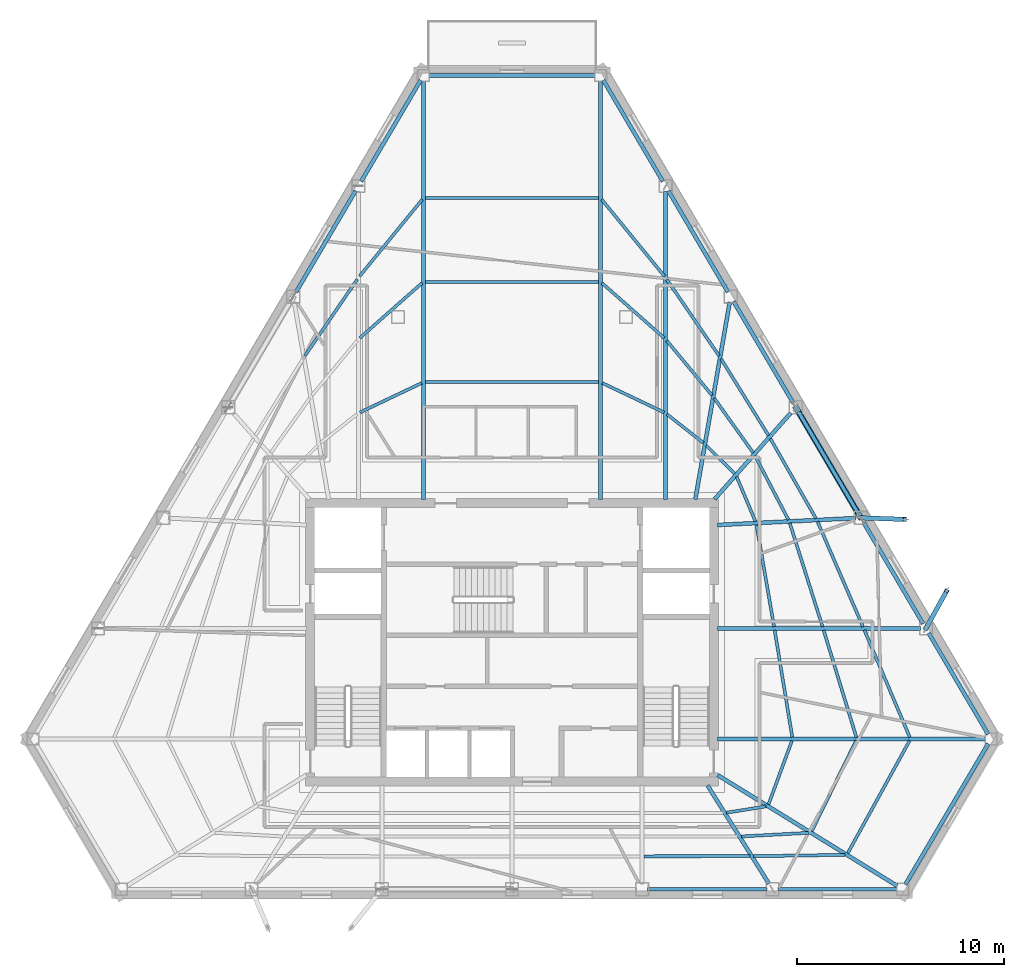
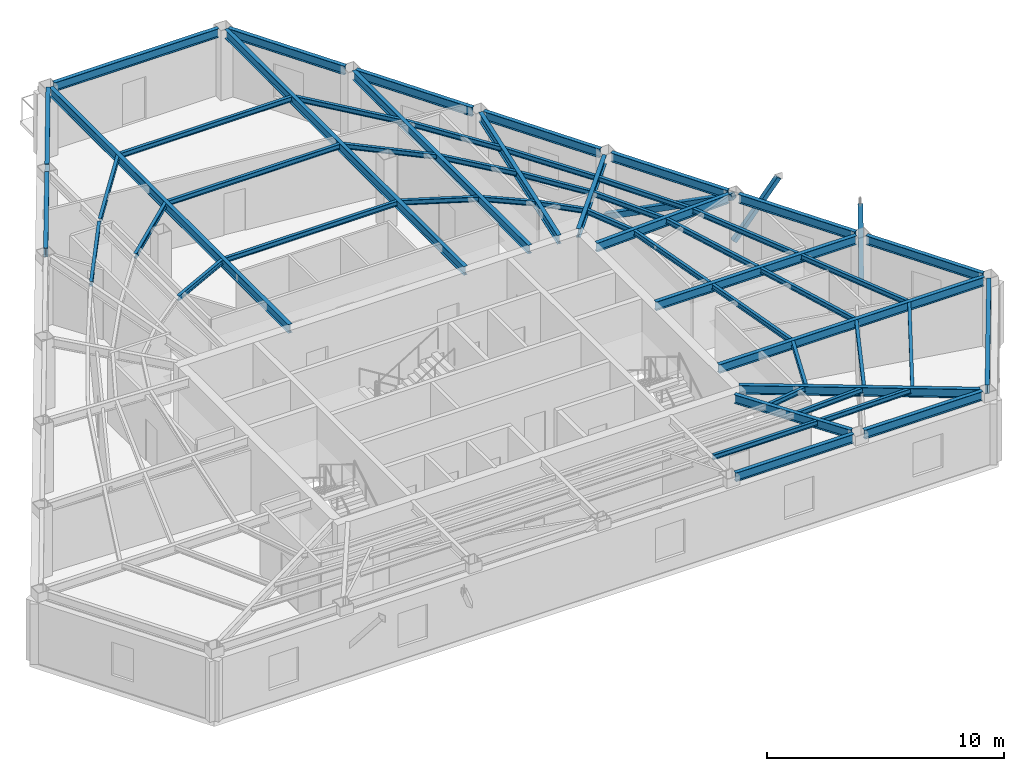
# One storey, part 2 of 12: 54 beams, 3 members.
"""IFC4 building model written with IfcOpenShell, lengths in metres."""

from ifc_helpers import new_model, si_unit, direction, frame, origin, origin_2d, place, context, subcontext, project, spatial, hollow_rectangle, i_section, extrude, material, material_profile, profile_set, type_object, element, save


model = new_model("IFC4")

# Units and contexts
model_context = context("Model", 3, precision=1e-05, world=origin(), true_north=direction((0.0, 1.0)))
body_context = subcontext(model_context, "Body", "Model", "MODEL_VIEW")
ifc_project = project(units=[si_unit("LENGTHUNIT", "METRE"), si_unit("AREAUNIT", "SQUARE_METRE"), si_unit("VOLUMEUNIT", "CUBIC_METRE"), si_unit("PLANEANGLEUNIT", "RADIAN"), si_unit("MASSUNIT", "GRAM", prefix="KILO")], contexts=[model_context])

# Site, building, storey
site_placement = place(None, origin())
site = spatial("IfcSite", under=ifc_project, at=site_placement, CompositionType="ELEMENT")
building_placement = place(site_placement, origin())
building = spatial("IfcBuilding", under=site, at=building_placement, Name="Kavelnor Concourse Tower", CompositionType="ELEMENT")
storey_placement = place(building_placement, frame((0.0, 0.0, 203.5)))
storey = spatial("IfcBuildingStorey", under=building, at=storey_placement, Name="L51", CompositionType="ELEMENT", Elevation=203.5)

# Beams
ifc_material = material(Name="Steel Grade 350", Category="steel")
ifc_material_profile_1 = material_profile(ifc_material, i_section(OverallWidth=0.14599609375, OverallDepth=0.256103515625, WebThickness=0.00634765625, FlangeThickness=0.010986328125, at=origin_2d()), Name="250UB37")
ifc_profile_set_1 = profile_set([ifc_material_profile_1], Name="Steel Grade 350")
beam_type_1 = type_object("IfcBeamType", Name="BM-JOIST-250", PredefinedType="JOIST", material=ifc_profile_set_1)
beam_1_placement = place(storey_placement, frame((44.37255859375, 5.776611328125, 3.471923828125), z_axis=(0.999999861866, 0.000525611548, 0.0), x_axis=(-0.000525611548, 0.999999861866, 0.0)))
element("IfcBeam", 1, at=beam_1_placement, inside=storey, type_object=beam_type_1, Name="L51 Secondary Composite Joist 06-3", PredefinedType="JOIST", context=body_context, shape_type="SweptSolid", body=[
    extrude(i_section(OverallWidth=0.14599609375, OverallDepth=0.256103515625, WebThickness=0.00634765625, FlangeThickness=0.010986328125, at=origin_2d()), origin(), (0.0, 0.0, 1.0), 5.109375),
])
beam_2_placement = place(storey_placement, frame((48.3544921875, 7.8798828125, 3.471923828125), z_axis=(0.987569610251, 0.157182266524, 0.0), x_axis=(-0.157182266524, 0.987569610251, 0.0)))
element("IfcBeam", 2, at=beam_2_placement, inside=storey, type_object=beam_type_1, Name="L51 Secondary Composite Joist 07-1", PredefinedType="JOIST", context=body_context, shape_type="SweptSolid", body=[
    extrude(i_section(OverallWidth=0.14599609375, OverallDepth=0.256103515625, WebThickness=0.00634765625, FlangeThickness=0.010986328125, at=origin_2d()), origin(), (0.0, 0.0, 1.0), 1.93212890625),
])
beam_3_placement = place(storey_placement, frame((49.06689453125, 6.732666015625, 3.471923828125), z_axis=(0.998536843301, 0.054075618994, 0.0), x_axis=(-0.054075618994, 0.998536843301, 0.0)))
element("IfcBeam", 3, at=beam_3_placement, inside=storey, type_object=beam_type_1, Name="L51 Secondary Composite Joist 07-2", PredefinedType="JOIST", context=body_context, shape_type="SweptSolid", body=[
    extrude(i_section(OverallWidth=0.14599609375, OverallDepth=0.256103515625, WebThickness=0.00634765625, FlangeThickness=0.010986328125, at=origin_2d()), origin(), (0.0, 0.0, 1.0), 3.27783203125),
])
beam_4_placement = place(storey_placement, frame((49.659912109375, 5.780517578125, 3.471923828125), z_axis=(0.999894891975, 0.014498448265, 0.0), x_axis=(-0.014498448265, 0.999894891975, 0.0)))
element("IfcBeam", 4, at=beam_4_placement, inside=storey, type_object=beam_type_1, Name="L51 Secondary Composite Joist 07-3", PredefinedType="JOIST", context=body_context, shape_type="SweptSolid", body=[
    extrude(i_section(OverallWidth=0.14599609375, OverallDepth=0.256103515625, WebThickness=0.00634765625, FlangeThickness=0.010986328125, at=origin_2d()), origin(), (0.0, 0.0, 1.0), 4.411865234375),
])
beam_5_placement = place(storey_placement, frame((50.381103515625, 8.281005859375, 3.471923828125), z_axis=(0.345459903826, 0.93843351115, 0.0), x_axis=(-0.93843351115, 0.345459903826, 0.0)))
element("IfcBeam", 5, at=beam_5_placement, inside=storey, type_object=beam_type_1, Name="L51 Secondary Composite Joist 08-1", PredefinedType="JOIST", context=body_context, shape_type="SweptSolid", body=[
    extrude(i_section(OverallWidth=0.14599609375, OverallDepth=0.256103515625, WebThickness=0.00634765625, FlangeThickness=0.010986328125, at=origin_2d()), origin(), (0.0, 0.0, 1.0), 3.272705078125),
])
beam_6_placement = place(storey_placement, frame((52.4677734375, 6.99462890625, 3.471923828125), z_axis=(0.440567902656, 0.897719289728, 0.0), x_axis=(-0.897719289728, 0.440567902656, 0.0)))
element("IfcBeam", 6, at=beam_6_placement, inside=storey, type_object=beam_type_1, Name="L51 Secondary Composite Joist 08-2", PredefinedType="JOIST", context=body_context, shape_type="SweptSolid", body=[
    extrude(i_section(OverallWidth=0.14599609375, OverallDepth=0.256103515625, WebThickness=0.00634765625, FlangeThickness=0.010986328125, at=origin_2d()), origin(), (0.0, 0.0, 1.0), 4.858154296875),
])
beam_7_placement = place(storey_placement, frame((54.203369140625, 5.923828125, 3.471923828125), z_axis=(0.481891547768, 0.876230869229, 0.0), x_axis=(-0.876230869229, 0.481891547768, 0.0)))
element("IfcBeam", 7, at=beam_7_placement, inside=storey, type_object=beam_type_1, Name="L51 Secondary Composite Joist 08-3", PredefinedType="JOIST", context=body_context, shape_type="SweptSolid", body=[
    extrude(i_section(OverallWidth=0.14599609375, OverallDepth=0.256103515625, WebThickness=0.00634765625, FlangeThickness=0.010986328125, at=origin_2d()), origin(), (0.0, 0.0, 1.0), 6.20166015625),
])
beam_8_placement = place(storey_placement, frame((51.528076171875, 11.523681640625, 3.471923828125), z_axis=(-0.162604999741, 0.986691245557, 0.0), x_axis=(-0.986691245557, -0.162604999741, 0.0)))
element("IfcBeam", 8, at=beam_8_placement, inside=storey, type_object=beam_type_1, Name="L51 Secondary Composite Joist 09-1", PredefinedType="JOIST", context=body_context, shape_type="SweptSolid", body=[
    extrude(i_section(OverallWidth=0.14599609375, OverallDepth=0.256103515625, WebThickness=0.00634765625, FlangeThickness=0.010986328125, at=origin_2d()), origin(), (0.0, 0.0, 1.0), 5.23095703125),
])
beam_9_placement = place(storey_placement, frame((54.621337890625, 11.52099609375, 3.471923828125), z_axis=(-0.292612253464, 0.956231179748, 0.0), x_axis=(-0.956231179748, -0.292612253464, 0.0)))
element("IfcBeam", 9, at=beam_9_placement, inside=storey, type_object=beam_type_1, Name="L51 Secondary Composite Joist 09-2", PredefinedType="JOIST", context=body_context, shape_type="SweptSolid", body=[
    extrude(i_section(OverallWidth=0.14599609375, OverallDepth=0.256103515625, WebThickness=0.00634765625, FlangeThickness=0.010986328125, at=origin_2d()), origin(), (0.0, 0.0, 1.0), 5.4033203125),
])
beam_10_placement = place(storey_placement, frame((57.2001953125, 11.517578125, 3.471923828125), z_axis=(-0.39008222311, 0.920780027593, 0.0), x_axis=(-0.920780027593, -0.39008222311, 0.0)))
element("IfcBeam", 10, at=beam_10_placement, inside=storey, type_object=beam_type_1, Name="L51 Secondary Composite Joist 09-3", PredefinedType="JOIST", context=body_context, shape_type="SweptSolid", body=[
    extrude(i_section(OverallWidth=0.14599609375, OverallDepth=0.256103515625, WebThickness=0.00634765625, FlangeThickness=0.010986328125, at=origin_2d()), origin(), (0.0, 0.0, 1.0), 5.618408203125),
])
beam_11_placement = place(storey_placement, frame((50.64794921875, 16.860595703125, 3.471923828125), z_axis=(-0.170379487714, 0.985378521263, 0.0), x_axis=(-0.985378521263, -0.170379487714, 0.0)))
element("IfcBeam", 11, at=beam_11_placement, inside=storey, type_object=beam_type_1, Name="L51 Secondary Composite Joist 10-1", PredefinedType="JOIST", context=body_context, shape_type="SweptSolid", body=[
    extrude(i_section(OverallWidth=0.14599609375, OverallDepth=0.256103515625, WebThickness=0.00634765625, FlangeThickness=0.010986328125, at=origin_2d()), origin(), (0.0, 0.0, 1.0), 4.982177734375),
])
beam_12_placement = place(storey_placement, frame((52.987548828125, 16.857666015625, 3.471923828125), z_axis=(-0.301481523568, 0.953472018964, 0.0), x_axis=(-0.953472018964, -0.301481523568, 0.0)))
element("IfcBeam", 12, at=beam_12_placement, inside=storey, type_object=beam_type_1, Name="L51 Secondary Composite Joist 10-2", PredefinedType="JOIST", context=body_context, shape_type="SweptSolid", body=[
    extrude(i_section(OverallWidth=0.14599609375, OverallDepth=0.256103515625, WebThickness=0.00634765625, FlangeThickness=0.010986328125, at=origin_2d()), origin(), (0.0, 0.0, 1.0), 5.238525390625),
])
beam_13_placement = place(storey_placement, frame((54.9384765625, 16.8544921875, 3.471923828125), z_axis=(-0.396799383043, 0.917905359837, 0.0), x_axis=(-0.917905359837, -0.396799383043, 0.0)))
element("IfcBeam", 13, at=beam_13_placement, inside=storey, type_object=beam_type_1, Name="L51 Secondary Composite Joist 10-3", PredefinedType="JOIST", context=body_context, shape_type="SweptSolid", body=[
    extrude(i_section(OverallWidth=0.14599609375, OverallDepth=0.256103515625, WebThickness=0.00634765625, FlangeThickness=0.010986328125, at=origin_2d()), origin(), (0.0, 0.0, 1.0), 5.520751953125),
])
beam_14_placement = place(storey_placement, frame((49.749267578125, 21.939697265625, 3.471923828125), z_axis=(-0.388000984509, 0.921658958628, 0.0), x_axis=(-0.921658958628, -0.388000984509, 0.0)))
element("IfcBeam", 14, at=beam_14_placement, inside=storey, type_object=beam_type_1, Name="L51 Secondary Composite Joist 11-1", PredefinedType="JOIST", context=body_context, shape_type="SweptSolid", body=[
    extrude(i_section(OverallWidth=0.14599609375, OverallDepth=0.256103515625, WebThickness=0.00634765625, FlangeThickness=0.010986328125, at=origin_2d()), origin(), (0.0, 0.0, 1.0), 2.338134765625),
])
beam_15_placement = place(storey_placement, frame((51.340087890625, 22.016357421875, 3.471923828125), z_axis=(-0.462654818884, 0.886538503712, 0.0), x_axis=(-0.886538503712, -0.462654818884, 0.0)))
element("IfcBeam", 15, at=beam_15_placement, inside=storey, type_object=beam_type_1, Name="L51 Secondary Composite Joist 11-2", PredefinedType="JOIST", context=body_context, shape_type="SweptSolid", body=[
    extrude(i_section(OverallWidth=0.14599609375, OverallDepth=0.256103515625, WebThickness=0.00634765625, FlangeThickness=0.010986328125, at=origin_2d()), origin(), (0.0, 0.0, 1.0), 3.475830078125),
])
beam_16_placement = place(storey_placement, frame((52.66845703125, 22.0810546875, 3.471923828125), z_axis=(-0.495540003504, 0.868585116685, 0.0), x_axis=(-0.868585116685, -0.495540003504, 0.0)))
element("IfcBeam", 16, at=beam_16_placement, inside=storey, type_object=beam_type_1, Name="L51 Secondary Composite Joist 11-3", PredefinedType="JOIST", context=body_context, shape_type="SweptSolid", body=[
    extrude(i_section(OverallWidth=0.14599609375, OverallDepth=0.256103515625, WebThickness=0.00634765625, FlangeThickness=0.010986328125, at=origin_2d()), origin(), (0.0, 0.0, 1.0), 4.4345703125),
])
beam_17_placement = place(storey_placement, frame((48.74462890625, 24.239501953125, 3.471923828125), z_axis=(-0.708242693493, 0.705969041186, 0.0), x_axis=(-0.705969041186, -0.708242693493, 0.0)))
element("IfcBeam", 17, at=beam_17_placement, inside=storey, type_object=beam_type_1, Name="L51 Secondary Composite Joist 12-1", PredefinedType="JOIST", context=body_context, shape_type="SweptSolid", body=[
    extrude(i_section(OverallWidth=0.14599609375, OverallDepth=0.256103515625, WebThickness=0.00634765625, FlangeThickness=0.010986328125, at=origin_2d()), origin(), (0.0, 0.0, 1.0), 1.932861328125),
])
beam_18_placement = place(storey_placement, frame((49.63916015625, 25.249267578125, 3.471923828125), z_axis=(-0.580566079547, 0.814213133817, 0.0), x_axis=(-0.814213133817, -0.580566079547, 0.0)))
element("IfcBeam", 18, at=beam_18_placement, inside=storey, type_object=beam_type_1, Name="L51 Secondary Composite Joist 12-2", PredefinedType="JOIST", context=body_context, shape_type="SweptSolid", body=[
    extrude(i_section(OverallWidth=0.14599609375, OverallDepth=0.256103515625, WebThickness=0.00634765625, FlangeThickness=0.010986328125, at=origin_2d()), origin(), (0.0, 0.0, 1.0), 3.23095703125),
])
beam_19_placement = place(storey_placement, frame((50.380126953125, 26.085693359375, 3.471923828125), z_axis=(-0.52656149454, 0.850137043345, 0.0), x_axis=(-0.850137043345, -0.52656149454, 0.0)))
element("IfcBeam", 19, at=beam_19_placement, inside=storey, type_object=beam_type_1, Name="L51 Secondary Composite Joist 12-3", PredefinedType="JOIST", context=body_context, shape_type="SweptSolid", body=[
    extrude(i_section(OverallWidth=0.14599609375, OverallDepth=0.256103515625, WebThickness=0.00634765625, FlangeThickness=0.010986328125, at=origin_2d()), origin(), (0.0, 0.0, 1.0), 4.3466796875),
])
beam_20_placement = place(storey_placement, frame((47.242919921875, 25.721923828125, 3.471923828125), z_axis=(-0.785731108186, 0.618568206125, 0.0), x_axis=(-0.618568206125, -0.785731108186, 0.0)))
element("IfcBeam", 20, at=beam_20_placement, inside=storey, type_object=beam_type_1, Name="L51 Secondary Composite Joist 13-1", PredefinedType="JOIST", context=body_context, shape_type="SweptSolid", body=[
    extrude(i_section(OverallWidth=0.14599609375, OverallDepth=0.256103515625, WebThickness=0.00634765625, FlangeThickness=0.010986328125, at=origin_2d()), origin(), (0.0, 0.0, 1.0), 2.237548828125),
])
beam_21_placement = place(storey_placement, frame((47.655029296875, 28.02099609375, 3.471923828125), z_axis=(-0.637607110081, 0.770361715803, 0.0), x_axis=(-0.770361715803, -0.637607110081, 0.0)))
element("IfcBeam", 21, at=beam_21_placement, inside=storey, type_object=beam_type_1, Name="L51 Secondary Composite Joist 13-2", PredefinedType="JOIST", context=body_context, shape_type="SweptSolid", body=[
    extrude(i_section(OverallWidth=0.14599609375, OverallDepth=0.256103515625, WebThickness=0.00634765625, FlangeThickness=0.010986328125, at=origin_2d()), origin(), (0.0, 0.0, 1.0), 3.42431640625),
])
beam_22_placement = place(storey_placement, frame((47.994140625, 29.930419921875, 3.471923828125), z_axis=(-0.56473668232, 0.825271155223, 0.0), x_axis=(-0.825271155223, -0.56473668232, 0.0)))
element("IfcBeam", 22, at=beam_22_placement, inside=storey, type_object=beam_type_1, Name="L51 Secondary Composite Joist 13-3", PredefinedType="JOIST", context=body_context, shape_type="SweptSolid", body=[
    extrude(i_section(OverallWidth=0.14599609375, OverallDepth=0.256103515625, WebThickness=0.00634765625, FlangeThickness=0.010986328125, at=origin_2d()), origin(), (0.0, 0.0, 1.0), 4.478271484375),
])
beam_23_placement = place(storey_placement, frame((45.33447265625, 27.19921875, 3.471923828125), z_axis=(-0.902972626263, 0.429698075652, 0.0), x_axis=(-0.429698075652, -0.902972626263, 0.0)))
element("IfcBeam", 23, at=beam_23_placement, inside=storey, type_object=beam_type_1, Name="L51 Secondary Composite Joist 14-1", PredefinedType="JOIST", context=body_context, shape_type="SweptSolid", body=[
    extrude(i_section(OverallWidth=0.14599609375, OverallDepth=0.256103515625, WebThickness=0.00634765625, FlangeThickness=0.010986328125, at=origin_2d()), origin(), (0.0, 0.0, 1.0), 3.2998046875),
])
beam_24_placement = place(storey_placement, frame((45.34814453125, 30.78662109375, 3.471923828125), z_axis=(-0.749352954986, 0.662170785262, 0.0), x_axis=(-0.662170785262, -0.749352954986, 0.0)))
element("IfcBeam", 24, at=beam_24_placement, inside=storey, type_object=beam_type_1, Name="L51 Secondary Composite Joist 14-2", PredefinedType="JOIST", context=body_context, shape_type="SweptSolid", body=[
    extrude(i_section(OverallWidth=0.14599609375, OverallDepth=0.256103515625, WebThickness=0.00634765625, FlangeThickness=0.010986328125, at=origin_2d()), origin(), (0.0, 0.0, 1.0), 4.012939453125),
])
beam_25_placement = place(storey_placement, frame((45.358642578125, 33.7685546875, 3.471923828125), z_axis=(-0.632812570245, 0.774305011568, 0.0), x_axis=(-0.774305011568, -0.632812570245, 0.0)))
element("IfcBeam", 25, at=beam_25_placement, inside=storey, type_object=beam_type_1, Name="L51 Secondary Composite Joist 14-3", PredefinedType="JOIST", context=body_context, shape_type="SweptSolid", body=[
    extrude(i_section(OverallWidth=0.14599609375, OverallDepth=0.256103515625, WebThickness=0.00634765625, FlangeThickness=0.010986328125, at=origin_2d()), origin(), (0.0, 0.0, 1.0), 4.78466796875),
])
for number, where, z_axis, x_axis, name in (
    (26, (42.185302734375, 28.655517578125, 3.471923828125), (-1.0, 0.0, 0.0), (0.0, -1.0, 0.0), "L51 Secondary Composite Joist 15-1"),
    (27, (42.185302734375, 33.502685546875, 3.471923828125), (-1.0, 0.0, 0.0), (0.0, -1.0, 0.0), "L51 Secondary Composite Joist 15-2"),
    (28, (42.185302734375, 37.542236328125, 3.471923828125), (-1.0, 0.0, 0.0), (0.0, -1.0, 0.0), "L51 Secondary Composite Joist 15-3"),
):
    element("IfcBeam", number, at=place(storey_placement, frame(where, z_axis=z_axis, x_axis=x_axis)), inside=storey, type_object=beam_type_1, Name=name, PredefinedType="JOIST", context=body_context, shape_type="SweptSolid", body=[
        extrude(i_section(OverallWidth=0.14599609375, OverallDepth=0.256103515625, WebThickness=0.00634765625, FlangeThickness=0.010986328125, at=origin_2d()), origin(), (0.0, 0.0, 1.0), 8.37060546875),
    ])
beam_26_placement = place(storey_placement, frame((33.645263671875, 28.6171875, 3.471923828125), z_axis=(-0.902972626263, -0.429698075652, 0.0), x_axis=(0.429698075652, -0.902972626263, 0.0)))
element("IfcBeam", 29, at=beam_26_placement, inside=storey, type_object=beam_type_1, Name="L51 Secondary Composite Joist 16-1", PredefinedType="JOIST", context=body_context, shape_type="SweptSolid", body=[
    extrude(i_section(OverallWidth=0.14599609375, OverallDepth=0.256103515625, WebThickness=0.00634765625, FlangeThickness=0.010986328125, at=origin_2d()), origin(), (0.0, 0.0, 1.0), 3.2998046875),
])
beam_27_placement = place(storey_placement, frame((33.658935546875, 33.44384765625, 3.471923828125), z_axis=(-0.749352954986, -0.662170785262, 0.0), x_axis=(0.662170785262, -0.749352954986, 0.0)))
element("IfcBeam", 30, at=beam_27_placement, inside=storey, type_object=beam_type_1, Name="L51 Secondary Composite Joist 16-2", PredefinedType="JOIST", context=body_context, shape_type="SweptSolid", body=[
    extrude(i_section(OverallWidth=0.14599609375, OverallDepth=0.256103515625, WebThickness=0.00634765625, FlangeThickness=0.010986328125, at=origin_2d()), origin(), (0.0, 0.0, 1.0), 4.012939453125),
])
beam_28_placement = place(storey_placement, frame((33.669189453125, 37.473388671875, 3.471923828125), z_axis=(-0.632812570245, -0.774305011568, 0.0), x_axis=(0.774305011568, -0.632812570245, 0.0)))
element("IfcBeam", 31, at=beam_28_placement, inside=storey, type_object=beam_type_1, Name="L51 Secondary Composite Joist 16-3", PredefinedType="JOIST", context=body_context, shape_type="SweptSolid", body=[
    extrude(i_section(OverallWidth=0.14599609375, OverallDepth=0.256103515625, WebThickness=0.00634765625, FlangeThickness=0.010986328125, at=origin_2d()), origin(), (0.0, 0.0, 1.0), 4.78466796875),
])
beam_29_placement = place(storey_placement, frame((30.534912109375, 33.626220703125, 3.471923828125), z_axis=(-0.56473668232, -0.825271155223, 0.0), x_axis=(0.825271155223, -0.56473668232, 0.0)))
element("IfcBeam", 32, at=beam_29_placement, inside=storey, type_object=beam_type_1, Name="L51 Secondary Composite Joist 17-3", PredefinedType="JOIST", context=body_context, shape_type="SweptSolid", body=[
    extrude(i_section(OverallWidth=0.14599609375, OverallDepth=0.256103515625, WebThickness=0.00634765625, FlangeThickness=0.010986328125, at=origin_2d()), origin(), (0.0, 0.0, 1.0), 4.478271484375),
])
ifc_material_profile_2 = material_profile(ifc_material, i_section(OverallWidth=0.18994140625, OverallDepth=0.4541015625, WebThickness=0.008544921875, FlangeThickness=0.0126953125, at=origin_2d()), Name="460UB67")
ifc_profile_set_2 = profile_set([ifc_material_profile_2], Name="Steel Grade 350")
beam_type_2 = type_object("IfcBeamType", Name="BM-PRIMARY-460", PredefinedType="BEAM", material=ifc_profile_set_2)
beam_30_placement = place(storey_placement, frame((33.7255859375, 23.0, 3.373046875), z_axis=(0.0, 1.0, 0.0), x_axis=(-1.0, 0.0, 0.0)))
element("IfcBeam", 33, at=beam_30_placement, inside=storey, type_object=beam_type_2, Name="L51 Primary Floor Girder F0-B0", PredefinedType="BEAM", context=body_context, shape_type="SweptSolid", body=[
    extrude(i_section(OverallWidth=0.18994140625, OverallDepth=0.4541015625, WebThickness=0.008544921875, FlangeThickness=0.0126953125, at=origin_2d()), origin(), (0.0, 0.0, 1.0), 20.19775390625),
])
beam_31_placement = place(storey_placement, frame((47.436279296875, 9.19384765625, 3.373046875), z_axis=(0.530073490706, -0.847951705259, 0.0), x_axis=(0.847951705259, 0.530073490706, 0.0)))
element("IfcBeam", 34, at=beam_31_placement, inside=storey, type_object=beam_type_2, Name="L51 Primary Floor Girder F1-B5", PredefinedType="BEAM", context=body_context, shape_type="SweptSolid", body=[
    extrude(i_section(OverallWidth=0.18994140625, OverallDepth=0.4541015625, WebThickness=0.008544921875, FlangeThickness=0.0126953125, at=origin_2d()), origin(), (0.0, 0.0, 1.0), 5.5927734375),
])
beam_32_placement = place(storey_placement, frame((47.926025390625, 9.69384765625, 3.373046875), z_axis=(0.850970531996, -0.525213436304, 0.0), x_axis=(0.525213436304, 0.850970531996, 0.0)))
element("IfcBeam", 35, at=beam_32_placement, inside=storey, type_object=beam_type_2, Name="L51 Primary Floor Girder F1-B6", PredefinedType="BEAM", context=body_context, shape_type="SweptSolid", body=[
    extrude(i_section(OverallWidth=0.18994140625, OverallDepth=0.4541015625, WebThickness=0.008544921875, FlangeThickness=0.0126953125, at=origin_2d()), origin(), (0.0, 0.0, 1.0), 10.17529296875),
])
beam_33_placement = place(storey_placement, frame((47.919921875, 11.435791015625, 3.373046875), z_axis=(1.0, 0.0, 0.0), x_axis=(0.0, 1.0, 0.0)))
element("IfcBeam", 36, at=beam_33_placement, inside=storey, type_object=beam_type_2, Name="L51 Primary Floor Girder F2-B0", PredefinedType="BEAM", context=body_context, shape_type="SweptSolid", body=[
    extrude(i_section(OverallWidth=0.18994140625, OverallDepth=0.4541015625, WebThickness=0.008544921875, FlangeThickness=0.0126953125, at=origin_2d()), origin(), (0.0, 0.0, 1.0), 12.9375),
])
beam_34_placement = place(storey_placement, frame((47.919921875, 16.772705078125, 3.373046875), z_axis=(1.0, 0.0, 0.0), x_axis=(0.0, 1.0, 0.0)))
element("IfcBeam", 37, at=beam_34_placement, inside=storey, type_object=beam_type_2, Name="L51 Primary Floor Girder F2-B1", PredefinedType="BEAM", context=body_context, shape_type="SweptSolid", body=[
    extrude(i_section(OverallWidth=0.18994140625, OverallDepth=0.4541015625, WebThickness=0.008544921875, FlangeThickness=0.0126953125, at=origin_2d()), origin(), (0.0, 0.0, 1.0), 9.796875),
])
beam_35_placement = place(storey_placement, frame((47.919921875, 21.764892578125, 3.373046875), z_axis=(0.998760091604, 0.049782320355, 0.0), x_axis=(-0.049782320355, 0.998760091604, 0.0)))
element("IfcBeam", 38, at=beam_35_placement, inside=storey, type_object=beam_type_2, Name="L51 Primary Floor Girder F2-B2", PredefinedType="BEAM", context=body_context, shape_type="SweptSolid", body=[
    extrude(i_section(OverallWidth=0.18994140625, OverallDepth=0.4541015625, WebThickness=0.008544921875, FlangeThickness=0.0126953125, at=origin_2d()), origin(), (0.0, 0.0, 1.0), 6.664794921875),
])
beam_36_placement = place(storey_placement, frame((47.777099609375, 23.010009765625, 3.373046875), z_axis=(0.66201370293, 0.749491732531, 0.0), x_axis=(-0.749491732531, 0.66201370293, 0.0)))
element("IfcBeam", 39, at=beam_36_placement, inside=storey, type_object=beam_type_2, Name="L51 Primary Floor Girder F2-B3", PredefinedType="BEAM", context=body_context, shape_type="SweptSolid", body=[
    extrude(i_section(OverallWidth=0.18994140625, OverallDepth=0.4541015625, WebThickness=0.008544921875, FlangeThickness=0.0126953125, at=origin_2d()), origin(), (0.0, 0.0, 1.0), 5.559326171875),
])
beam_37_placement = place(storey_placement, frame((46.84716796875, 23.00048828125, 3.373046875), z_axis=(0.172015806316, 0.985094189597, 0.0), x_axis=(-0.985094189597, 0.172015806316, 0.0)))
element("IfcBeam", 40, at=beam_37_placement, inside=storey, type_object=beam_type_2, Name="L51 Primary Floor Girder F2-B4", PredefinedType="BEAM", context=body_context, shape_type="SweptSolid", body=[
    extrude(i_section(OverallWidth=0.18994140625, OverallDepth=0.4541015625, WebThickness=0.008544921875, FlangeThickness=0.0126953125, at=origin_2d()), origin(), (0.0, 0.0, 1.0), 9.666748046875),
])
beam_38_placement = place(storey_placement, frame((45.414794921875, 23.0, 3.373046875), z_axis=(0.0, 1.0, 0.0), x_axis=(-1.0, 0.0, 0.0)))
element("IfcBeam", 41, at=beam_38_placement, inside=storey, type_object=beam_type_2, Name="L51 Primary Floor Girder F2-B5", PredefinedType="BEAM", context=body_context, shape_type="SweptSolid", body=[
    extrude(i_section(OverallWidth=0.18994140625, OverallDepth=0.4541015625, WebThickness=0.008544921875, FlangeThickness=0.0126953125, at=origin_2d()), origin(), (0.0, 0.0, 1.0), 14.860595703125),
])
beam_39_placement = place(storey_placement, frame((42.2744140625, 23.0, 3.373046875), z_axis=(0.0, 1.0, 0.0), x_axis=(-1.0, 0.0, 0.0)))
element("IfcBeam", 42, at=beam_39_placement, inside=storey, type_object=beam_type_2, Name="L51 Primary Floor Girder F2-B6", PredefinedType="BEAM", context=body_context, shape_type="SweptSolid", body=[
    extrude(i_section(OverallWidth=0.18994140625, OverallDepth=0.4541015625, WebThickness=0.008544921875, FlangeThickness=0.0126953125, at=origin_2d()), origin(), (0.0, 0.0, 1.0), 20.19775390625),
])
ifc_material_profile_3 = material_profile(ifc_material, i_section(OverallWidth=0.19091796875, OverallDepth=0.4599609375, WebThickness=0.010009765625, FlangeThickness=0.01611328125, at=origin_2d()), Name="460UB82")
ifc_profile_set_3 = profile_set([ifc_material_profile_3], Name="Steel Grade 350")
beam_type_3 = type_object("IfcBeamType", Name="BM-SPANDREL-Z3", PredefinedType="SPANDREL", material=ifc_profile_set_3)
for number, where, z_axis, x_axis, name in (
    (43, (33.59130859375, 43.229248046875, 3.3701171875), (-0.507172742374, -0.861844422963, 0.0), (0.861844422963, -0.507172742374, 0.0), "L51 Perimeter Tube Spandrel Beam F0-B0"),
    (44, (30.45068359375, 37.892333984375, 3.3701171875), (-0.50714071585, -0.861863268928, 0.0), (0.861863268928, -0.50714071585, 0.0), "L51 Perimeter Tube Spandrel Beam F0-B1"),
):
    element("IfcBeam", number, at=place(storey_placement, frame(where, z_axis=z_axis, x_axis=x_axis)), inside=storey, type_object=beam_type_3, Name=name, PredefinedType="SPANDREL", context=body_context, shape_type="SweptSolid", body=[
        extrude(i_section(OverallWidth=0.19091796875, OverallDepth=0.4599609375, WebThickness=0.010009765625, FlangeThickness=0.01611328125, at=origin_2d()), origin(), (0.0, 0.0, 1.0), 5.662353515625),
    ])
beam_40_placement = place(storey_placement, frame((42.009521484375, 43.457763671875, 3.3701171875), z_axis=(-1.0, 0.0, 0.0), x_axis=(0.0, -1.0, 0.0)))
element("IfcBeam", 45, at=beam_40_placement, inside=storey, type_object=beam_type_3, Name="L51 Chamfer Facet Spandrel Beam C0", PredefinedType="SPANDREL", context=body_context, shape_type="SweptSolid", body=[
    extrude(i_section(OverallWidth=0.19091796875, OverallDepth=0.4599609375, WebThickness=0.010009765625, FlangeThickness=0.01611328125, at=origin_2d()), origin(), (0.0, 0.0, 1.0), 8.01904296875),
])
for number, where, z_axis, x_axis, name in (
    (46, (44.548583984375, 4.185302734375, 3.3701171875), (1.0, 0.0, 0.0), (0.0, 1.0, 0.0), "L51 Perimeter Tube Spandrel Beam F1-B4"),
    (47, (50.832275390625, 4.185302734375, 3.3701171875), (1.0, 0.0, 0.0), (0.0, 1.0, 0.0), "L51 Perimeter Tube Spandrel Beam F1-B5"),
):
    element("IfcBeam", number, at=place(storey_placement, frame(where, z_axis=z_axis, x_axis=x_axis)), inside=storey, type_object=beam_type_3, Name=name, PredefinedType="SPANDREL", context=body_context, shape_type="SweptSolid", body=[
        extrude(i_section(OverallWidth=0.19091796875, OverallDepth=0.4599609375, WebThickness=0.010009765625, FlangeThickness=0.01611328125, at=origin_2d()), origin(), (0.0, 0.0, 1.0), 5.753662109375),
    ])
for number, where, z_axis, x_axis, name in (
    (48, (60.98291015625, 11.664306640625, 3.3701171875), (-0.50714071585, 0.861863268928, 0.0), (-0.861863268928, -0.50714071585, 0.0), "L51 Perimeter Tube Spandrel Beam F2-B0"),
    (49, (57.842529296875, 17.001220703125, 3.3701171875), (-0.507172742374, 0.861844422963, 0.0), (-0.861844422963, -0.507172742374, 0.0), "L51 Perimeter Tube Spandrel Beam F2-B1"),
):
    element("IfcBeam", number, at=place(storey_placement, frame(where, z_axis=z_axis, x_axis=x_axis)), inside=storey, type_object=beam_type_3, Name=name, PredefinedType="SPANDREL", context=body_context, shape_type="SweptSolid", body=[
        extrude(i_section(OverallWidth=0.19091796875, OverallDepth=0.4599609375, WebThickness=0.010009765625, FlangeThickness=0.01611328125, at=origin_2d()), origin(), (0.0, 0.0, 1.0), 5.662353515625),
    ])
beam_41_placement = place(storey_placement, frame((54.701904296875, 22.338134765625, 3.3701171875), z_axis=(-0.507121870648, 0.861874357613, 0.0), x_axis=(-0.861874357613, -0.507121870648, 0.0)))
element("IfcBeam", 50, at=beam_41_placement, inside=storey, type_object=beam_type_3, Name="L51 Perimeter Tube Spandrel Beam F2-B2", PredefinedType="SPANDREL", context=body_context, shape_type="SweptSolid", body=[
    extrude(i_section(OverallWidth=0.19091796875, OverallDepth=0.4599609375, WebThickness=0.010009765625, FlangeThickness=0.01611328125, at=origin_2d()), origin(), (0.0, 0.0, 1.0), 5.66259765625),
])
for number, where, z_axis, x_axis, name in (
    (51, (51.5615234375, 27.67529296875, 3.3701171875), (-0.507172742374, 0.861844422963, 0.0), (-0.861844422963, -0.507172742374, 0.0), "L51 Perimeter Tube Spandrel Beam F2-B3"),
    (52, (48.4208984375, 33.01220703125, 3.3701171875), (-0.50714071585, 0.861863268928, 0.0), (-0.861863268928, -0.50714071585, 0.0), "L51 Perimeter Tube Spandrel Beam F2-B4"),
    (53, (45.280517578125, 38.34912109375, 3.3701171875), (-0.507172742374, 0.861844422963, 0.0), (-0.861844422963, -0.507172742374, 0.0), "L51 Perimeter Tube Spandrel Beam F2-B5"),
):
    element("IfcBeam", number, at=place(storey_placement, frame(where, z_axis=z_axis, x_axis=x_axis)), inside=storey, type_object=beam_type_3, Name=name, PredefinedType="SPANDREL", context=body_context, shape_type="SweptSolid", body=[
        extrude(i_section(OverallWidth=0.19091796875, OverallDepth=0.4599609375, WebThickness=0.010009765625, FlangeThickness=0.01611328125, at=origin_2d()), origin(), (0.0, 0.0, 1.0), 5.662353515625),
    ])
beam_42_placement = place(storey_placement, frame((56.9853515625, 4.413818359375, 3.3701171875), z_axis=(0.50713923342, 0.861864141223, 0.0), x_axis=(-0.861864141223, 0.50713923342, 0.0)))
element("IfcBeam", 54, at=beam_42_placement, inside=storey, type_object=beam_type_3, Name="L51 Chamfer Facet Spandrel Beam C2", PredefinedType="SPANDREL", context=body_context, shape_type="SweptSolid", body=[
    extrude(i_section(OverallWidth=0.19091796875, OverallDepth=0.4599609375, WebThickness=0.010009765625, FlangeThickness=0.01611328125, at=origin_2d()), origin(), (0.0, 0.0, 1.0), 7.882568359375),
])

# Members
ifc_material_profile_4 = material_profile(ifc_material, hollow_rectangle(XDim=0.219970703125, YDim=0.219970703125, WallThickness=0.013916015625, at=origin_2d()), Name="SHS 220x220x14")
ifc_profile_set_4 = profile_set([ifc_material_profile_4], Name="Steel Grade 350")
member_type_1 = type_object("IfcMemberType", Name="MBR-BALC-STRUT-220", PredefinedType="STRUT", material=ifc_profile_set_4)
member_1_placement = place(storey_placement, frame((57.976806640625, 16.772705078125, 1.050048828125), z_axis=(0.300892986739, 0.544322751864, 0.783055650854), x_axis=(-0.875185003498, 0.483788393466, 0.0)))
element("IfcMember", 55, at=member_1_placement, inside=storey, type_object=member_type_1, Name="L51 Tree Balcony Raking Knee Strut 2-A", PredefinedType="STRUT", context=body_context, shape_type="SweptSolid", body=[
    extrude(hollow_rectangle(XDim=0.219970703125, YDim=0.219970703125, WallThickness=0.013916015625, at=origin_2d()), origin(), (0.0, 0.0, 1.0), 3.32666015625),
])
member_2_placement = place(storey_placement, frame((54.83642578125, 22.10986328125, 1.050048828125), z_axis=(0.631253569287, -0.022088062277, 0.775261922686), x_axis=(0.034969390962, 0.999388383811, 0.0)))
element("IfcMember", 56, at=member_2_placement, inside=storey, type_object=member_type_1, Name="L51 Tree Balcony Raking Knee Strut 2-B", PredefinedType="STRUT", context=body_context, shape_type="SweptSolid", body=[
    extrude(hollow_rectangle(XDim=0.219970703125, YDim=0.219970703125, WallThickness=0.013916015625, at=origin_2d()), origin(), (0.0, 0.0, 1.0), 3.360107421875),
])
ifc_material_profile_5 = material_profile(ifc_material, hollow_rectangle(XDim=0.280029296875, YDim=0.280029296875, WallThickness=0.01611328125, at=origin_2d()), Name="SHS 280x280x16")
ifc_profile_set_5 = profile_set([ifc_material_profile_5], Name="Steel Grade 350")
member_type_2 = type_object("IfcMemberType", Name="MBR-TUBE-DIAG-Z3", PredefinedType="BRACE", material=ifc_profile_set_5)
member_3_placement = place(storey_placement, frame((51.69580078125, 27.44677734375, 0.219970703125), z_axis=(0.452042464076, -0.7681629559, 0.453412928636), x_axis=(0.861845012659, 0.507171740295, 0.0)))
element("IfcMember", 57, at=member_3_placement, inside=storey, type_object=member_type_2, Name="L51 Framed-Tube Bracing Diagonal F2-B2", PredefinedType="BRACE", context=body_context, shape_type="SweptSolid", body=[
    extrude(hollow_rectangle(XDim=0.280029296875, YDim=0.280029296875, WallThickness=0.01611328125, at=origin_2d()), origin(), (0.0, 0.0, 1.0), 6.94775390625),
])

save(model, "model.ifc")
